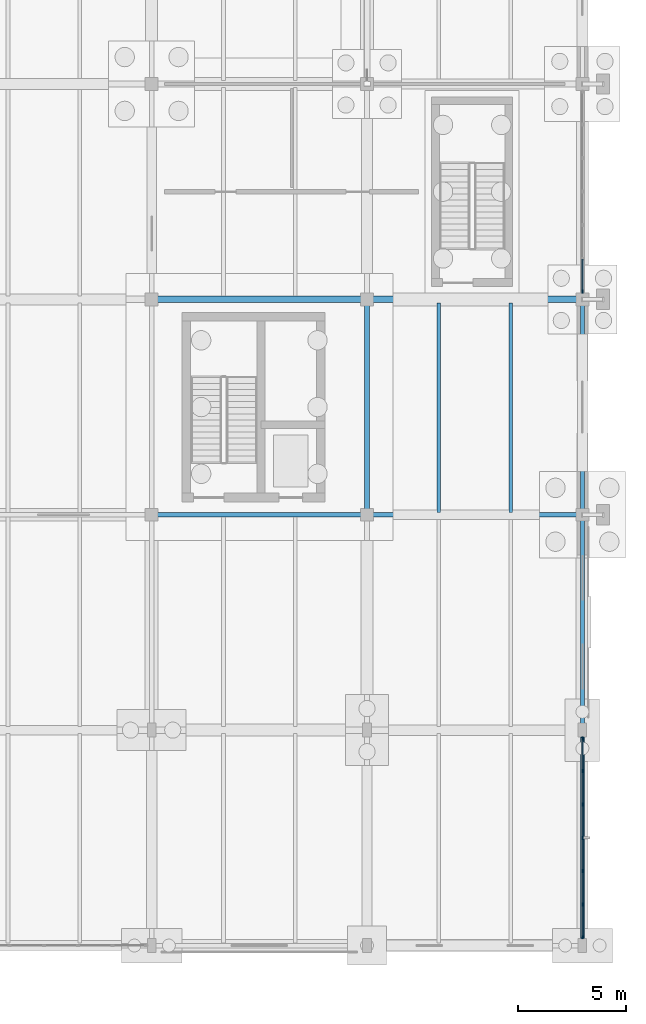
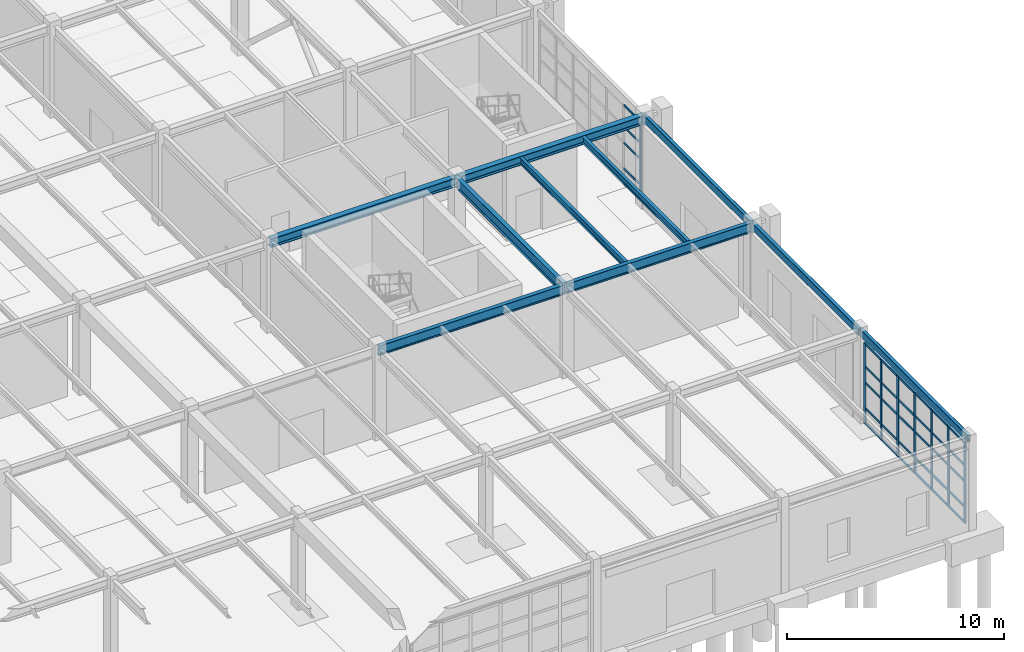
# One storey, part 66 of 145: 43 members, 10 beams, 2 elements without a shape of their own.
"""IFC4 building model written with IfcOpenShell, lengths in metres."""

from ifc_helpers import new_model, si_unit, direction, frame, origin, origin_2d, place, context, subcontext, project, spatial, rectangle, hollow_rectangle, i_section, extrude, material, layer, layer_set, material_profile, profile_set, type_object, element, aggregate, save


model = new_model("IFC4")

# Units and contexts
model_context = context("Model", 3, precision=1e-05, world=origin(), true_north=direction((0.0, 1.0)))
body_context = subcontext(model_context, "Body", "Model", "MODEL_VIEW")
ifc_project = project(units=[si_unit("LENGTHUNIT", "METRE"), si_unit("AREAUNIT", "SQUARE_METRE"), si_unit("VOLUMEUNIT", "CUBIC_METRE"), si_unit("PLANEANGLEUNIT", "RADIAN"), si_unit("MASSUNIT", "GRAM", prefix="KILO"), si_unit("THERMODYNAMICTEMPERATUREUNIT", "KELVIN"), si_unit("POWERUNIT", "WATT")], contexts=[model_context])

# Site, building, storey
site_placement = place(None, origin())
site = spatial("IfcSite", under=ifc_project, at=site_placement, CompositionType="ELEMENT")
building_placement = place(site_placement, origin())
building = spatial("IfcBuilding", under=site, at=building_placement, Name="Korenveer Ferry Terminal", CompositionType="ELEMENT")
storey_placement = place(building_placement, origin())
storey = spatial("IfcBuildingStorey", under=building, at=storey_placement, Name="L00", CompositionType="ELEMENT", Elevation=0.0)

# Curtain wall, members
ifc_material_1 = material(Name="Unitised bronze-and-glass curtain wall", Category="glass")
ifc_layer_1 = layer(ifc_material_1, 0.159912109375)
ifc_layer_set_1 = layer_set([ifc_layer_1], Name="Unitised bronze-and-glass curtain wall")
curtain_wall_type_1 = type_object("IfcCurtainWallType", Name="ENV-CW-33", PredefinedType="USERDEFINED", material=ifc_layer_set_1)
curtain_wall_1_placement = place(storey_placement, frame((176.0, 9.64501953125, 0.0)))
curtain_wall_1 = element("IfcCurtainWall", 1, at=curtain_wall_1_placement, inside=storey, type_object=curtain_wall_type_1, Name="Lancet curtain wall CWX-L00-X176-176-Y0-10", ObjectType="UNITISED CURTAIN WALL", PredefinedType="USERDEFINED")
ifc_material_2 = material(Name="Anodised bronze aluminium", Category="aluminium")
ifc_material_profile_1 = material_profile(ifc_material_2, rectangle(XDim=0.06005859375, YDim=0.159912109375, at=origin_2d()), Name="ALU 60x160")
ifc_profile_set_1 = profile_set([ifc_material_profile_1], Name="Anodised bronze aluminium")
member_type_1 = type_object("IfcMemberType", Name="ENV-CWM-60X160", PredefinedType="MULLION", material=ifc_profile_set_1)
member_1_placement = place(storey_placement, frame((176.0, 9.614990234375, 0.0), z_axis=(0.0, 0.0, 1.0), x_axis=(1.0, 0.0, 0.0)))
member_1 = element("IfcMember", 2, at=member_1_placement, type_object=member_type_1, Name="CW-33 mullion 1", PredefinedType="MULLION", context=body_context, shape_type="SweptSolid", body=[
    extrude(rectangle(XDim=0.06005859375, YDim=0.159912109375, at=origin_2d()), origin(), (0.0, 0.0, 1.0), 4.550048828125),
])
member_2_placement = place(storey_placement, frame((176.0, 8.0966796875, 0.0), z_axis=(0.0, 0.0, 1.0), x_axis=(1.0, 0.0, 0.0)))
member_2 = element("IfcMember", 3, at=member_2_placement, type_object=member_type_1, Name="CW-33 mullion 2", PredefinedType="MULLION", context=body_context, shape_type="SweptSolid", body=[
    extrude(rectangle(XDim=0.06005859375, YDim=0.159912109375, at=origin_2d()), origin(), (0.0, 0.0, 1.0), 4.550048828125),
])
member_3_placement = place(storey_placement, frame((176.0, 6.54833984375, 0.0), z_axis=(0.0, 0.0, 1.0), x_axis=(1.0, 0.0, 0.0)))
member_3 = element("IfcMember", 4, at=member_3_placement, type_object=member_type_1, Name="CW-33 mullion 3", PredefinedType="MULLION", context=body_context, shape_type="SweptSolid", body=[
    extrude(rectangle(XDim=0.06005859375, YDim=0.159912109375, at=origin_2d()), origin(), (0.0, 0.0, 1.0), 4.550048828125),
])
member_4_placement = place(storey_placement, frame((176.0, 5.0, 0.0), z_axis=(0.0, 0.0, 1.0), x_axis=(1.0, 0.0, 0.0)))
member_4 = element("IfcMember", 5, at=member_4_placement, type_object=member_type_1, Name="CW-33 mullion 4", PredefinedType="MULLION", context=body_context, shape_type="SweptSolid", body=[
    extrude(rectangle(XDim=0.06005859375, YDim=0.159912109375, at=origin_2d()), origin(), (0.0, 0.0, 1.0), 4.550048828125),
])
member_5_placement = place(storey_placement, frame((176.0, 3.45166015625, 0.0), z_axis=(0.0, 0.0, 1.0), x_axis=(1.0, 0.0, 0.0)))
member_5 = element("IfcMember", 6, at=member_5_placement, type_object=member_type_1, Name="CW-33 mullion 5", PredefinedType="MULLION", context=body_context, shape_type="SweptSolid", body=[
    extrude(rectangle(XDim=0.06005859375, YDim=0.159912109375, at=origin_2d()), origin(), (0.0, 0.0, 1.0), 4.550048828125),
])
member_6_placement = place(storey_placement, frame((176.0, 1.9033203125, 0.0), z_axis=(0.0, 0.0, 1.0), x_axis=(1.0, 0.0, 0.0)))
member_6 = element("IfcMember", 7, at=member_6_placement, type_object=member_type_1, Name="CW-33 mullion 6", PredefinedType="MULLION", context=body_context, shape_type="SweptSolid", body=[
    extrude(rectangle(XDim=0.06005859375, YDim=0.159912109375, at=origin_2d()), origin(), (0.0, 0.0, 1.0), 4.550048828125),
])
member_7_placement = place(storey_placement, frame((176.0, 0.385009765625, 0.0), z_axis=(0.0, 0.0, 1.0), x_axis=(1.0, 0.0, 0.0)))
member_7 = element("IfcMember", 8, at=member_7_placement, type_object=member_type_1, Name="CW-33 mullion 7", PredefinedType="MULLION", context=body_context, shape_type="SweptSolid", body=[
    extrude(rectangle(XDim=0.06005859375, YDim=0.159912109375, at=origin_2d()), origin(), (0.0, 0.0, 1.0), 4.550048828125),
])

# Curtain wall, member
ifc_layer_2 = layer(ifc_material_1, 0.159912109375)
ifc_layer_set_2 = layer_set([ifc_layer_2], Name="Unitised bronze-and-glass curtain wall")
curtain_wall_type_2 = type_object("IfcCurtainWallType", Name="ENV-CW-34", PredefinedType="USERDEFINED", material=ifc_layer_set_2)
curtain_wall_2_placement = place(storey_placement, frame((176.0, 39.669921875, 0.0)))
curtain_wall_2 = element("IfcCurtainWall", 9, at=curtain_wall_2_placement, inside=storey, type_object=curtain_wall_type_2, Name="Lancet curtain wall CWX-L00-X176-176-Y30-40", ObjectType="UNITISED CURTAIN WALL", PredefinedType="USERDEFINED")
member_8_placement = place(storey_placement, frame((176.0, 30.360107421875, 0.0), z_axis=(0.0, 0.0, 1.0), x_axis=(1.0, 0.0, 0.0)))
member_8 = element("IfcMember", 10, at=member_8_placement, type_object=member_type_1, Name="CW-34 mullion 7", PredefinedType="MULLION", context=body_context, shape_type="SweptSolid", body=[
    extrude(rectangle(XDim=0.06005859375, YDim=0.159912109375, at=origin_2d()), origin(), (0.0, 0.0, 1.0), 4.489990234375),
])

# Member
ifc_material_profile_2 = material_profile(ifc_material_2, rectangle(XDim=0.06005859375, YDim=0.1201171875, at=origin_2d()), Name="ALU 60x120")
ifc_profile_set_2 = profile_set([ifc_material_profile_2], Name="Anodised bronze aluminium")
member_type_2 = type_object("IfcMemberType", Name="ENV-CWT-60X120", PredefinedType="USERDEFINED", material=ifc_profile_set_2)
member_9_placement = place(storey_placement, frame((176.0, 9.5849609375, 0.030029296875), z_axis=(0.0, -1.0, 0.0), x_axis=(1.0, 0.0, 0.0)))
member_9 = element("IfcMember", 11, at=member_9_placement, type_object=member_type_2, Name="CW-33 transom 1.1", ObjectType="TRANSOM", PredefinedType="USERDEFINED", context=body_context, shape_type="SweptSolid", body=[
    extrude(rectangle(XDim=0.06005859375, YDim=0.1201171875, at=origin_2d()), origin(), (0.0, 0.0, 1.0), 1.458251953125),
])

member_10_placement = place(storey_placement, frame((176.0, 9.5849609375, 0.89990234375), z_axis=(0.0, -1.0, 0.0), x_axis=(1.0, 0.0, 0.0)))
member_10 = element("IfcMember", 12, at=member_10_placement, type_object=member_type_2, Name="CW-33 transom 1.2", ObjectType="TRANSOM", PredefinedType="USERDEFINED", context=body_context, shape_type="SweptSolid", body=[
    extrude(rectangle(XDim=0.06005859375, YDim=0.1201171875, at=origin_2d()), origin(), (0.0, 0.0, 1.0), 1.458251953125),
])

member_11_placement = place(storey_placement, frame((176.0, 9.5849609375, 2.35009765625), z_axis=(0.0, -1.0, 0.0), x_axis=(1.0, 0.0, 0.0)))
member_11 = element("IfcMember", 13, at=member_11_placement, type_object=member_type_2, Name="CW-33 transom 1.3", ObjectType="TRANSOM", PredefinedType="USERDEFINED", context=body_context, shape_type="SweptSolid", body=[
    extrude(rectangle(XDim=0.06005859375, YDim=0.1201171875, at=origin_2d()), origin(), (0.0, 0.0, 1.0), 1.458251953125),
])

member_12_placement = place(storey_placement, frame((176.0, 9.5849609375, 3.25), z_axis=(0.0, -1.0, 0.0), x_axis=(1.0, 0.0, 0.0)))
member_12 = element("IfcMember", 14, at=member_12_placement, type_object=member_type_2, Name="CW-33 transom 1.4", ObjectType="TRANSOM", PredefinedType="USERDEFINED", context=body_context, shape_type="SweptSolid", body=[
    extrude(rectangle(XDim=0.06005859375, YDim=0.1201171875, at=origin_2d()), origin(), (0.0, 0.0, 1.0), 1.458251953125),
])

member_13_placement = place(storey_placement, frame((176.0, 9.5849609375, 4.52001953125), z_axis=(0.0, -1.0, 0.0), x_axis=(1.0, 0.0, 0.0)))
member_13 = element("IfcMember", 15, at=member_13_placement, type_object=member_type_2, Name="CW-33 transom 1.5", ObjectType="TRANSOM", PredefinedType="USERDEFINED", context=body_context, shape_type="SweptSolid", body=[
    extrude(rectangle(XDim=0.06005859375, YDim=0.1201171875, at=origin_2d()), origin(), (0.0, 0.0, 1.0), 1.458251953125),
])

member_14_placement = place(storey_placement, frame((176.0, 8.066650390625, 0.030029296875), z_axis=(0.0, -1.0, 0.0), x_axis=(1.0, 0.0, 0.0)))
member_14 = element("IfcMember", 16, at=member_14_placement, type_object=member_type_2, Name="CW-33 transom 2.1", ObjectType="TRANSOM", PredefinedType="USERDEFINED", context=body_context, shape_type="SweptSolid", body=[
    extrude(rectangle(XDim=0.06005859375, YDim=0.1201171875, at=origin_2d()), origin(), (0.0, 0.0, 1.0), 1.48828125),
])

member_15_placement = place(storey_placement, frame((176.0, 8.066650390625, 0.89990234375), z_axis=(0.0, -1.0, 0.0), x_axis=(1.0, 0.0, 0.0)))
member_15 = element("IfcMember", 17, at=member_15_placement, type_object=member_type_2, Name="CW-33 transom 2.2", ObjectType="TRANSOM", PredefinedType="USERDEFINED", context=body_context, shape_type="SweptSolid", body=[
    extrude(rectangle(XDim=0.06005859375, YDim=0.1201171875, at=origin_2d()), origin(), (0.0, 0.0, 1.0), 1.48828125),
])

member_16_placement = place(storey_placement, frame((176.0, 8.066650390625, 2.35009765625), z_axis=(0.0, -1.0, 0.0), x_axis=(1.0, 0.0, 0.0)))
member_16 = element("IfcMember", 18, at=member_16_placement, type_object=member_type_2, Name="CW-33 transom 2.3", ObjectType="TRANSOM", PredefinedType="USERDEFINED", context=body_context, shape_type="SweptSolid", body=[
    extrude(rectangle(XDim=0.06005859375, YDim=0.1201171875, at=origin_2d()), origin(), (0.0, 0.0, 1.0), 1.48828125),
])

member_17_placement = place(storey_placement, frame((176.0, 8.066650390625, 3.25), z_axis=(0.0, -1.0, 0.0), x_axis=(1.0, 0.0, 0.0)))
member_17 = element("IfcMember", 19, at=member_17_placement, type_object=member_type_2, Name="CW-33 transom 2.4", ObjectType="TRANSOM", PredefinedType="USERDEFINED", context=body_context, shape_type="SweptSolid", body=[
    extrude(rectangle(XDim=0.06005859375, YDim=0.1201171875, at=origin_2d()), origin(), (0.0, 0.0, 1.0), 1.48828125),
])

member_18_placement = place(storey_placement, frame((176.0, 8.066650390625, 4.52001953125), z_axis=(0.0, -1.0, 0.0), x_axis=(1.0, 0.0, 0.0)))
member_18 = element("IfcMember", 20, at=member_18_placement, type_object=member_type_2, Name="CW-33 transom 2.5", ObjectType="TRANSOM", PredefinedType="USERDEFINED", context=body_context, shape_type="SweptSolid", body=[
    extrude(rectangle(XDim=0.06005859375, YDim=0.1201171875, at=origin_2d()), origin(), (0.0, 0.0, 1.0), 1.48828125),
])

member_19_placement = place(storey_placement, frame((176.0, 6.518310546875, 0.030029296875), z_axis=(0.0, -1.0, 0.0), x_axis=(1.0, 0.0, 0.0)))
member_19 = element("IfcMember", 21, at=member_19_placement, type_object=member_type_2, Name="CW-33 transom 3.1", ObjectType="TRANSOM", PredefinedType="USERDEFINED", context=body_context, shape_type="SweptSolid", body=[
    extrude(rectangle(XDim=0.06005859375, YDim=0.1201171875, at=origin_2d()), origin(), (0.0, 0.0, 1.0), 1.48828125),
])

member_20_placement = place(storey_placement, frame((176.0, 6.518310546875, 0.89990234375), z_axis=(0.0, -1.0, 0.0), x_axis=(1.0, 0.0, 0.0)))
member_20 = element("IfcMember", 22, at=member_20_placement, type_object=member_type_2, Name="CW-33 transom 3.2", ObjectType="TRANSOM", PredefinedType="USERDEFINED", context=body_context, shape_type="SweptSolid", body=[
    extrude(rectangle(XDim=0.06005859375, YDim=0.1201171875, at=origin_2d()), origin(), (0.0, 0.0, 1.0), 1.48828125),
])

member_21_placement = place(storey_placement, frame((176.0, 6.518310546875, 2.35009765625), z_axis=(0.0, -1.0, 0.0), x_axis=(1.0, 0.0, 0.0)))
member_21 = element("IfcMember", 23, at=member_21_placement, type_object=member_type_2, Name="CW-33 transom 3.3", ObjectType="TRANSOM", PredefinedType="USERDEFINED", context=body_context, shape_type="SweptSolid", body=[
    extrude(rectangle(XDim=0.06005859375, YDim=0.1201171875, at=origin_2d()), origin(), (0.0, 0.0, 1.0), 1.48828125),
])

member_22_placement = place(storey_placement, frame((176.0, 6.518310546875, 3.25), z_axis=(0.0, -1.0, 0.0), x_axis=(1.0, 0.0, 0.0)))
member_22 = element("IfcMember", 24, at=member_22_placement, type_object=member_type_2, Name="CW-33 transom 3.4", ObjectType="TRANSOM", PredefinedType="USERDEFINED", context=body_context, shape_type="SweptSolid", body=[
    extrude(rectangle(XDim=0.06005859375, YDim=0.1201171875, at=origin_2d()), origin(), (0.0, 0.0, 1.0), 1.48828125),
])

member_23_placement = place(storey_placement, frame((176.0, 6.518310546875, 4.52001953125), z_axis=(0.0, -1.0, 0.0), x_axis=(1.0, 0.0, 0.0)))
member_23 = element("IfcMember", 25, at=member_23_placement, type_object=member_type_2, Name="CW-33 transom 3.5", ObjectType="TRANSOM", PredefinedType="USERDEFINED", context=body_context, shape_type="SweptSolid", body=[
    extrude(rectangle(XDim=0.06005859375, YDim=0.1201171875, at=origin_2d()), origin(), (0.0, 0.0, 1.0), 1.48828125),
])

member_24_placement = place(storey_placement, frame((176.0, 4.969970703125, 0.030029296875), z_axis=(0.0, -1.0, 0.0), x_axis=(1.0, 0.0, 0.0)))
member_24 = element("IfcMember", 26, at=member_24_placement, type_object=member_type_2, Name="CW-33 transom 4.1", ObjectType="TRANSOM", PredefinedType="USERDEFINED", context=body_context, shape_type="SweptSolid", body=[
    extrude(rectangle(XDim=0.06005859375, YDim=0.1201171875, at=origin_2d()), origin(), (0.0, 0.0, 1.0), 1.48828125),
])

member_25_placement = place(storey_placement, frame((176.0, 4.969970703125, 0.89990234375), z_axis=(0.0, -1.0, 0.0), x_axis=(1.0, 0.0, 0.0)))
member_25 = element("IfcMember", 27, at=member_25_placement, type_object=member_type_2, Name="CW-33 transom 4.2", ObjectType="TRANSOM", PredefinedType="USERDEFINED", context=body_context, shape_type="SweptSolid", body=[
    extrude(rectangle(XDim=0.06005859375, YDim=0.1201171875, at=origin_2d()), origin(), (0.0, 0.0, 1.0), 1.48828125),
])

member_26_placement = place(storey_placement, frame((176.0, 4.969970703125, 2.35009765625), z_axis=(0.0, -1.0, 0.0), x_axis=(1.0, 0.0, 0.0)))
member_26 = element("IfcMember", 28, at=member_26_placement, type_object=member_type_2, Name="CW-33 transom 4.3", ObjectType="TRANSOM", PredefinedType="USERDEFINED", context=body_context, shape_type="SweptSolid", body=[
    extrude(rectangle(XDim=0.06005859375, YDim=0.1201171875, at=origin_2d()), origin(), (0.0, 0.0, 1.0), 1.48828125),
])

member_27_placement = place(storey_placement, frame((176.0, 4.969970703125, 3.25), z_axis=(0.0, -1.0, 0.0), x_axis=(1.0, 0.0, 0.0)))
member_27 = element("IfcMember", 29, at=member_27_placement, type_object=member_type_2, Name="CW-33 transom 4.4", ObjectType="TRANSOM", PredefinedType="USERDEFINED", context=body_context, shape_type="SweptSolid", body=[
    extrude(rectangle(XDim=0.06005859375, YDim=0.1201171875, at=origin_2d()), origin(), (0.0, 0.0, 1.0), 1.48828125),
])

member_28_placement = place(storey_placement, frame((176.0, 4.969970703125, 4.52001953125), z_axis=(0.0, -1.0, 0.0), x_axis=(1.0, 0.0, 0.0)))
member_28 = element("IfcMember", 30, at=member_28_placement, type_object=member_type_2, Name="CW-33 transom 4.5", ObjectType="TRANSOM", PredefinedType="USERDEFINED", context=body_context, shape_type="SweptSolid", body=[
    extrude(rectangle(XDim=0.06005859375, YDim=0.1201171875, at=origin_2d()), origin(), (0.0, 0.0, 1.0), 1.48828125),
])

member_29_placement = place(storey_placement, frame((176.0, 3.421630859375, 0.030029296875), z_axis=(0.0, -1.0, 0.0), x_axis=(1.0, 0.0, 0.0)))
member_29 = element("IfcMember", 31, at=member_29_placement, type_object=member_type_2, Name="CW-33 transom 5.1", ObjectType="TRANSOM", PredefinedType="USERDEFINED", context=body_context, shape_type="SweptSolid", body=[
    extrude(rectangle(XDim=0.06005859375, YDim=0.1201171875, at=origin_2d()), origin(), (0.0, 0.0, 1.0), 1.48828125),
])

member_30_placement = place(storey_placement, frame((176.0, 3.421630859375, 0.89990234375), z_axis=(0.0, -1.0, 0.0), x_axis=(1.0, 0.0, 0.0)))
member_30 = element("IfcMember", 32, at=member_30_placement, type_object=member_type_2, Name="CW-33 transom 5.2", ObjectType="TRANSOM", PredefinedType="USERDEFINED", context=body_context, shape_type="SweptSolid", body=[
    extrude(rectangle(XDim=0.06005859375, YDim=0.1201171875, at=origin_2d()), origin(), (0.0, 0.0, 1.0), 1.48828125),
])

member_31_placement = place(storey_placement, frame((176.0, 3.421630859375, 2.35009765625), z_axis=(0.0, -1.0, 0.0), x_axis=(1.0, 0.0, 0.0)))
member_31 = element("IfcMember", 33, at=member_31_placement, type_object=member_type_2, Name="CW-33 transom 5.3", ObjectType="TRANSOM", PredefinedType="USERDEFINED", context=body_context, shape_type="SweptSolid", body=[
    extrude(rectangle(XDim=0.06005859375, YDim=0.1201171875, at=origin_2d()), origin(), (0.0, 0.0, 1.0), 1.48828125),
])

member_32_placement = place(storey_placement, frame((176.0, 3.421630859375, 3.25), z_axis=(0.0, -1.0, 0.0), x_axis=(1.0, 0.0, 0.0)))
member_32 = element("IfcMember", 34, at=member_32_placement, type_object=member_type_2, Name="CW-33 transom 5.4", ObjectType="TRANSOM", PredefinedType="USERDEFINED", context=body_context, shape_type="SweptSolid", body=[
    extrude(rectangle(XDim=0.06005859375, YDim=0.1201171875, at=origin_2d()), origin(), (0.0, 0.0, 1.0), 1.48828125),
])

member_33_placement = place(storey_placement, frame((176.0, 3.421630859375, 4.52001953125), z_axis=(0.0, -1.0, 0.0), x_axis=(1.0, 0.0, 0.0)))
member_33 = element("IfcMember", 35, at=member_33_placement, type_object=member_type_2, Name="CW-33 transom 5.5", ObjectType="TRANSOM", PredefinedType="USERDEFINED", context=body_context, shape_type="SweptSolid", body=[
    extrude(rectangle(XDim=0.06005859375, YDim=0.1201171875, at=origin_2d()), origin(), (0.0, 0.0, 1.0), 1.48828125),
])

member_34_placement = place(storey_placement, frame((176.0, 1.873291015625, 0.030029296875), z_axis=(0.0, -1.0, 0.0), x_axis=(1.0, 0.0, 0.0)))
member_34 = element("IfcMember", 36, at=member_34_placement, type_object=member_type_2, Name="CW-33 transom 6.1", ObjectType="TRANSOM", PredefinedType="USERDEFINED", context=body_context, shape_type="SweptSolid", body=[
    extrude(rectangle(XDim=0.06005859375, YDim=0.1201171875, at=origin_2d()), origin(), (0.0, 0.0, 1.0), 1.458251953125),
])

member_35_placement = place(storey_placement, frame((176.0, 1.873291015625, 0.89990234375), z_axis=(0.0, -1.0, 0.0), x_axis=(1.0, 0.0, 0.0)))
member_35 = element("IfcMember", 37, at=member_35_placement, type_object=member_type_2, Name="CW-33 transom 6.2", ObjectType="TRANSOM", PredefinedType="USERDEFINED", context=body_context, shape_type="SweptSolid", body=[
    extrude(rectangle(XDim=0.06005859375, YDim=0.1201171875, at=origin_2d()), origin(), (0.0, 0.0, 1.0), 1.458251953125),
])

member_36_placement = place(storey_placement, frame((176.0, 1.873291015625, 2.35009765625), z_axis=(0.0, -1.0, 0.0), x_axis=(1.0, 0.0, 0.0)))
member_36 = element("IfcMember", 38, at=member_36_placement, type_object=member_type_2, Name="CW-33 transom 6.3", ObjectType="TRANSOM", PredefinedType="USERDEFINED", context=body_context, shape_type="SweptSolid", body=[
    extrude(rectangle(XDim=0.06005859375, YDim=0.1201171875, at=origin_2d()), origin(), (0.0, 0.0, 1.0), 1.458251953125),
])

member_37_placement = place(storey_placement, frame((176.0, 1.873291015625, 3.25), z_axis=(0.0, -1.0, 0.0), x_axis=(1.0, 0.0, 0.0)))
member_37 = element("IfcMember", 39, at=member_37_placement, type_object=member_type_2, Name="CW-33 transom 6.4", ObjectType="TRANSOM", PredefinedType="USERDEFINED", context=body_context, shape_type="SweptSolid", body=[
    extrude(rectangle(XDim=0.06005859375, YDim=0.1201171875, at=origin_2d()), origin(), (0.0, 0.0, 1.0), 1.458251953125),
])

member_38_placement = place(storey_placement, frame((176.0, 1.873291015625, 4.52001953125), z_axis=(0.0, -1.0, 0.0), x_axis=(1.0, 0.0, 0.0)))
member_38 = element("IfcMember", 40, at=member_38_placement, type_object=member_type_2, Name="CW-33 transom 6.5", ObjectType="TRANSOM", PredefinedType="USERDEFINED", context=body_context, shape_type="SweptSolid", body=[
    extrude(rectangle(XDim=0.06005859375, YDim=0.1201171875, at=origin_2d()), origin(), (0.0, 0.0, 1.0), 1.458251953125),
])

aggregate(curtain_wall_1, [member_1, member_2, member_3, member_4, member_5, member_6, member_7, member_9, member_10, member_11, member_12, member_13, member_14, member_15, member_16, member_17, member_18, member_19, member_20, member_21, member_22, member_23, member_24, member_25, member_26, member_27, member_28, member_29, member_30, member_31, member_32, member_33, member_34, member_35, member_36, member_37, member_38])

member_39_placement = place(storey_placement, frame((176.0, 31.856689453125, 0.030029296875), z_axis=(0.0, -1.0, 0.0), x_axis=(1.0, 0.0, 0.0)))
member_39 = element("IfcMember", 41, at=member_39_placement, type_object=member_type_2, Name="CW-34 transom 6.1", ObjectType="TRANSOM", PredefinedType="USERDEFINED", context=body_context, shape_type="SweptSolid", body=[
    extrude(rectangle(XDim=0.06005859375, YDim=0.1201171875, at=origin_2d()), origin(), (0.0, 0.0, 1.0), 1.466796875),
])

member_40_placement = place(storey_placement, frame((176.0, 31.856689453125, 0.89990234375), z_axis=(0.0, -1.0, 0.0), x_axis=(1.0, 0.0, 0.0)))
member_40 = element("IfcMember", 42, at=member_40_placement, type_object=member_type_2, Name="CW-34 transom 6.2", ObjectType="TRANSOM", PredefinedType="USERDEFINED", context=body_context, shape_type="SweptSolid", body=[
    extrude(rectangle(XDim=0.06005859375, YDim=0.1201171875, at=origin_2d()), origin(), (0.0, 0.0, 1.0), 1.466796875),
])

member_41_placement = place(storey_placement, frame((176.0, 31.856689453125, 2.35009765625), z_axis=(0.0, -1.0, 0.0), x_axis=(1.0, 0.0, 0.0)))
member_41 = element("IfcMember", 43, at=member_41_placement, type_object=member_type_2, Name="CW-34 transom 6.3", ObjectType="TRANSOM", PredefinedType="USERDEFINED", context=body_context, shape_type="SweptSolid", body=[
    extrude(rectangle(XDim=0.06005859375, YDim=0.1201171875, at=origin_2d()), origin(), (0.0, 0.0, 1.0), 1.466796875),
])

member_42_placement = place(storey_placement, frame((176.0, 31.856689453125, 3.25), z_axis=(0.0, -1.0, 0.0), x_axis=(1.0, 0.0, 0.0)))
member_42 = element("IfcMember", 44, at=member_42_placement, type_object=member_type_2, Name="CW-34 transom 6.4", ObjectType="TRANSOM", PredefinedType="USERDEFINED", context=body_context, shape_type="SweptSolid", body=[
    extrude(rectangle(XDim=0.06005859375, YDim=0.1201171875, at=origin_2d()), origin(), (0.0, 0.0, 1.0), 1.466796875),
])

member_43_placement = place(storey_placement, frame((176.0, 31.856689453125, 4.4599609375), z_axis=(0.0, -1.0, 0.0), x_axis=(1.0, 0.0, 0.0)))
member_43 = element("IfcMember", 45, at=member_43_placement, type_object=member_type_2, Name="CW-34 transom 6.5", ObjectType="TRANSOM", PredefinedType="USERDEFINED", context=body_context, shape_type="SweptSolid", body=[
    extrude(rectangle(XDim=0.06005859375, YDim=0.1201171875, at=origin_2d()), origin(), (0.0, 0.0, 1.0), 1.466796875),
])

aggregate(curtain_wall_2, [member_8, member_39, member_40, member_41, member_42, member_43])

# Beams
ifc_material_3 = material(Name="Steel S355", Category="steel")
ifc_material_profile_3 = material_profile(ifc_material_3, i_section(OverallWidth=0.300048828125, OverallDepth=0.5, WebThickness=0.014404296875, FlangeThickness=0.028076171875, FilletRadius=0.027099609375, at=origin_2d()), Name="HEB 500")
ifc_profile_set_3 = profile_set([ifc_material_profile_3], Name="Steel S355")
beam_type_1 = type_object("IfcBeamType", Name="STR-BM-HEB500", PredefinedType="BEAM", material=ifc_profile_set_3)
for number, where, z_axis, x_axis, name in (
    (46, (156.02001953125, 30.0, 4.8701171875), (1.0, 0.0, 0.0), (0.0, 1.0, 0.0), "Primary X girder BMX-L01-X156-166-Y30"),
    (47, (166.02001953125, 30.0, 4.8701171875), (1.0, 0.0, 0.0), (0.0, 1.0, 0.0), "Primary X girder BMX-L01-X166-176-Y30"),
):
    element("IfcBeam", number, at=place(storey_placement, frame(where, z_axis=z_axis, x_axis=x_axis)), inside=storey, type_object=beam_type_1, Name=name, PredefinedType="BEAM", context=body_context, shape_type="SweptSolid", body=[
        extrude(i_section(OverallWidth=0.300048828125, OverallDepth=0.5, WebThickness=0.014404296875, FlangeThickness=0.028076171875, FilletRadius=0.027099609375, at=origin_2d()), origin(), (0.0, 0.0, 1.0), 9.9599609375),
    ])
ifc_material_profile_4 = material_profile(ifc_material_3, i_section(OverallWidth=0.2099609375, OverallDepth=0.550048828125, WebThickness=0.010986328125, FlangeThickness=0.01708984375, FilletRadius=0.02392578125, at=origin_2d()), Name="IPE 550")
ifc_profile_set_4 = profile_set([ifc_material_profile_4], Name="Steel S355")
beam_type_2 = type_object("IfcBeamType", Name="STR-BM-IPE550", PredefinedType="BEAM", material=ifc_profile_set_4)
for number, where, z_axis, x_axis, name in (
    (48, (156.02001953125, 20.0, 4.844970703125), (1.0, 0.0, 0.0), (0.0, 1.0, 0.0), "Primary X girder BMX-L01-X156-166-Y20"),
    (49, (166.02001953125, 20.0, 4.844970703125), (1.0, 0.0, 0.0), (0.0, 1.0, 0.0), "Primary X girder BMX-L01-X166-176-Y20"),
):
    element("IfcBeam", number, at=place(storey_placement, frame(where, z_axis=z_axis, x_axis=x_axis)), inside=storey, type_object=beam_type_2, Name=name, PredefinedType="BEAM", context=body_context, shape_type="SweptSolid", body=[
        extrude(i_section(OverallWidth=0.2099609375, OverallDepth=0.550048828125, WebThickness=0.010986328125, FlangeThickness=0.01708984375, FilletRadius=0.02392578125, at=origin_2d()), origin(), (0.0, 0.0, 1.0), 9.9599609375),
    ])
ifc_material_profile_5 = material_profile(ifc_material_3, i_section(OverallWidth=0.219970703125, OverallDepth=0.60009765625, WebThickness=0.011962890625, FlangeThickness=0.01904296875, FilletRadius=0.02392578125, at=origin_2d()), Name="IPE 600")
ifc_profile_set_5 = profile_set([ifc_material_profile_5], Name="Steel S355")
beam_type_3 = type_object("IfcBeamType", Name="STR-BM-IPE600", PredefinedType="BEAM", material=ifc_profile_set_5)
beam_placement = place(storey_placement, frame((166.0, 20.02001953125, 4.820068359375), z_axis=(0.0, 1.0, 0.0), x_axis=(-1.0, 0.0, 0.0)))
element("IfcBeam", 50, at=beam_placement, inside=storey, type_object=beam_type_3, Name="Primary Y girder BMY-L01-X166-Y20-30", PredefinedType="BEAM", context=body_context, shape_type="SweptSolid", body=[
    extrude(i_section(OverallWidth=0.219970703125, OverallDepth=0.60009765625, WebThickness=0.011962890625, FlangeThickness=0.01904296875, FilletRadius=0.02392578125, at=origin_2d()), origin(), (0.0, 0.0, 1.0), 9.9599609375),
])
ifc_material_profile_6 = material_profile(ifc_material_3, i_section(OverallWidth=0.169921875, OverallDepth=0.360107421875, WebThickness=0.008056640625, FlangeThickness=0.0126953125, FilletRadius=0.01806640625, at=origin_2d()), Name="IPE 360")
ifc_profile_set_6 = profile_set([ifc_material_profile_6], Name="Steel S355")
beam_type_4 = type_object("IfcBeamType", Name="STR-JST-IPE360", PredefinedType="JOIST", material=ifc_profile_set_6)
for number, where, z_axis, x_axis, name in (
    (51, (169.333251953125, 20.114990234375, 4.93994140625), (0.0, 1.0, 0.0), (-1.0, 0.0, 0.0), "Secondary composite joist JST-L01-X1693-Y20-30"),
    (52, (172.666748046875, 20.114990234375, 4.93994140625), (0.0, 1.0, 0.0), (-1.0, 0.0, 0.0), "Secondary composite joist JST-L01-X1727-Y20-30"),
):
    element("IfcBeam", number, at=place(storey_placement, frame(where, z_axis=z_axis, x_axis=x_axis)), inside=storey, type_object=beam_type_4, Name=name, PredefinedType="JOIST", context=body_context, shape_type="SweptSolid", body=[
        extrude(i_section(OverallWidth=0.169921875, OverallDepth=0.360107421875, WebThickness=0.008056640625, FlangeThickness=0.0126953125, FilletRadius=0.01806640625, at=origin_2d()), origin(), (0.0, 0.0, 1.0), 9.72509765625),
    ])
ifc_material_profile_7 = material_profile(ifc_material_3, hollow_rectangle(XDim=0.199951171875, YDim=0.39990234375, WallThickness=0.01611328125, InnerFilletRadius=0.01611328125, OuterFilletRadius=0.02392578125, at=origin_2d()), Name="RHS 400x200x16")
ifc_profile_set_7 = profile_set([ifc_material_profile_7], Name="Steel S355")
beam_type_5 = type_object("IfcBeamType", Name="STR-SPD-RHS400", PredefinedType="SPANDREL", material=ifc_profile_set_7)
for number, where, z_axis, x_axis, name in (
    (53, (176.0, 0.02001953125, 4.97998046875), (0.0, 1.0, 0.0), (-1.0, 0.0, 0.0), "Primary Y girder BMY-L01-X176-Y0-10"),
    (54, (176.0, 10.02001953125, 4.919921875), (0.0, 1.0, 0.0), (-1.0, 0.0, 0.0), "Primary Y girder BMY-L01-X176-Y10-20"),
    (55, (176.0, 20.02001953125, 4.919921875), (0.0, 1.0, 0.0), (-1.0, 0.0, 0.0), "Primary Y girder BMY-L01-X176-Y20-30"),
):
    element("IfcBeam", number, at=place(storey_placement, frame(where, z_axis=z_axis, x_axis=x_axis)), inside=storey, type_object=beam_type_5, Name=name, PredefinedType="SPANDREL", context=body_context, shape_type="SweptSolid", body=[
        extrude(hollow_rectangle(XDim=0.199951171875, YDim=0.39990234375, WallThickness=0.01611328125, InnerFilletRadius=0.01611328125, OuterFilletRadius=0.02392578125, at=origin_2d()), origin(), (0.0, 0.0, 1.0), 9.9599609375),
    ])

save(model, "model.ifc")
